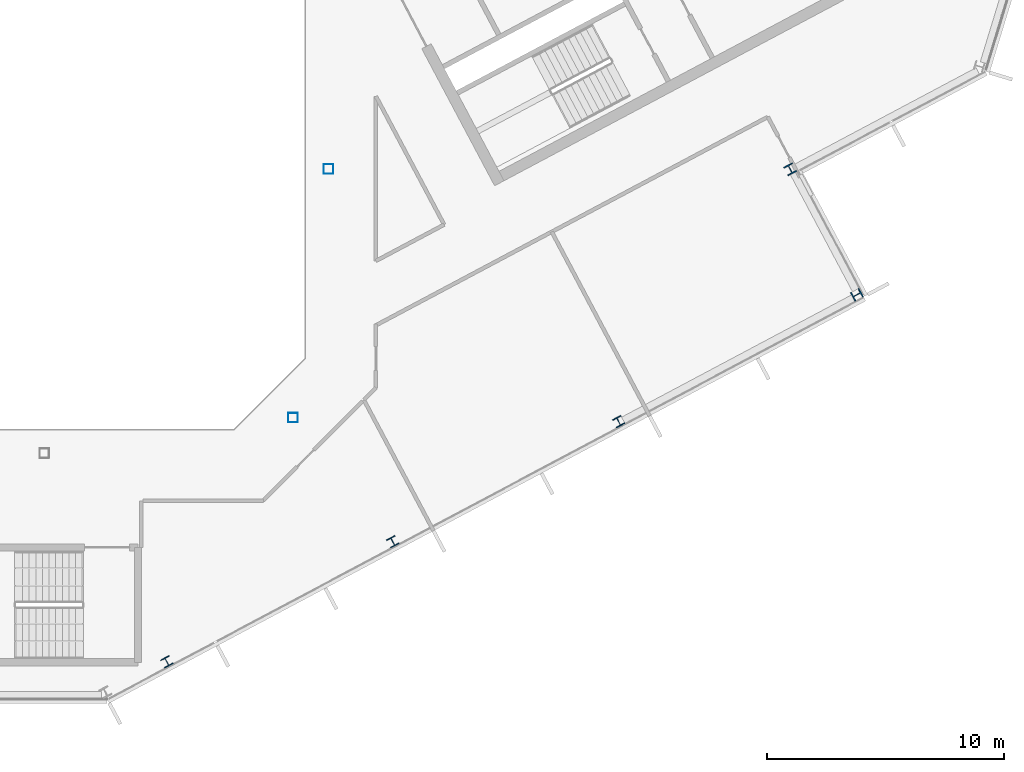
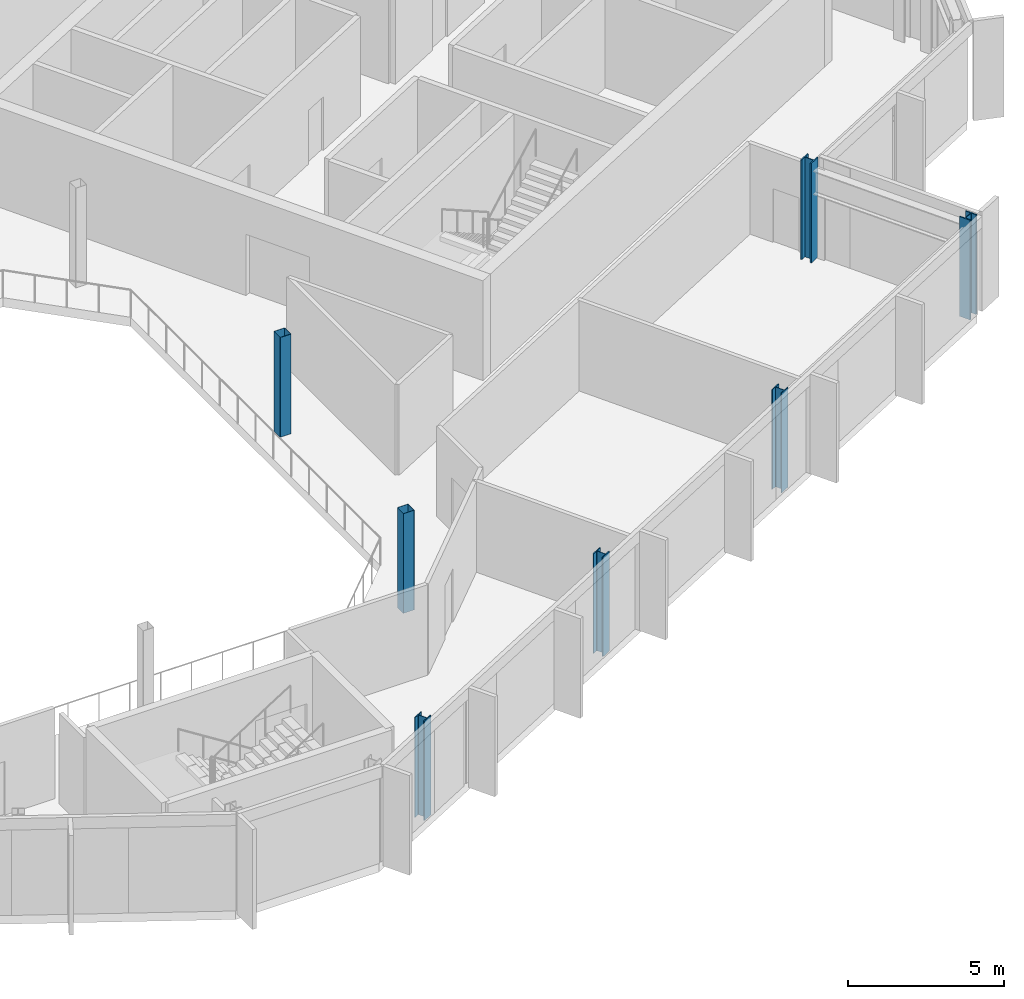
# One storey, part 5 of 25: 7 columns.
"""IFC4 building model written with IfcOpenShell, lengths in metres."""

from ifc_helpers import new_model, si_unit, direction, frame, origin, origin_2d, place, context, subcontext, project, spatial, hollow_rectangle, i_section, extrude, material, material_profile, profile_set, type_object, element, save


model = new_model("IFC4")

# Units and contexts
model_context = context("Model", 3, precision=1e-05, world=origin(), true_north=direction((0.0, 1.0)))
body_context = subcontext(model_context, "Body", "Model", "MODEL_VIEW")
ifc_project = project(units=[si_unit("LENGTHUNIT", "METRE"), si_unit("AREAUNIT", "SQUARE_METRE"), si_unit("VOLUMEUNIT", "CUBIC_METRE"), si_unit("PLANEANGLEUNIT", "RADIAN"), si_unit("MASSUNIT", "GRAM", prefix="KILO")], contexts=[model_context])

# Site, building, storey
site_placement = place(None, origin())
site = spatial("IfcSite", under=ifc_project, at=site_placement, CompositionType="ELEMENT")
building_placement = place(site_placement, origin())
building = spatial("IfcBuilding", under=site, at=building_placement, Name="Cormorant Relay Tower", CompositionType="ELEMENT")
storey_placement = place(building_placement, frame((0.0, 0.0, 265.800048828125)))
storey = spatial("IfcBuildingStorey", under=building, at=storey_placement, Name="L59", CompositionType="ELEMENT", Elevation=265.800048828125)

# Columns
ifc_material_1 = material(Name="Steel ASTM A500 Grade C (Fy 345 MPa)", Category="steel")
ifc_material_profile_1 = material_profile(ifc_material_1, hollow_rectangle(XDim=0.406494140625, YDim=0.406494140625, WallThickness=0.0087890625, InnerFilletRadius=0.00439453125, OuterFilletRadius=0.01318359375, at=origin_2d()), Name="HSS406x406x9")
ifc_profile_set_1 = profile_set([ifc_material_profile_1], Name="Steel ASTM A500 Grade C (Fy 345 MPa)")
column_type_1 = type_object("IfcColumnType", Name="Column HSS406x406x9", PredefinedType="COLUMN", material=ifc_profile_set_1)
for number, where, z_axis, x_axis, name in (
    (1, (10.5, -10.5, 0.0), (0.0, 0.0, 1.0), (1.0, 0.0, 0.0), "Column L59-010"),
    (2, (12.0, 0.0, 0.0), (0.0, 0.0, 1.0), (1.0, 0.0, 0.0), "Column L59-016"),
):
    element("IfcColumn", number, at=place(storey_placement, frame(where, z_axis=z_axis, x_axis=x_axis)), inside=storey, type_object=column_type_1, Name=name, PredefinedType="COLUMN", context=body_context, shape_type="SweptSolid", body=[
        extrude(hollow_rectangle(XDim=0.406494140625, YDim=0.406494140625, WallThickness=0.0087890625, InnerFilletRadius=0.00439453125, OuterFilletRadius=0.01318359375, at=origin_2d()), origin(), (0.0, 0.0, 1.0), 3.89990234375),
    ])
ifc_material_2 = material(Name="Steel ASTM A992 (Fy 345 MPa)", Category="steel")
ifc_material_profile_2 = material_profile(ifc_material_2, i_section(OverallWidth=0.398681640625, OverallDepth=0.385986328125, WebThickness=0.02099609375, FlangeThickness=0.033203125, FilletRadius=0.01513671875, at=origin_2d()), Name="W360x262")
ifc_profile_set_2 = profile_set([ifc_material_profile_2], Name="Steel ASTM A992 (Fy 345 MPa)")
column_type_2 = type_object("IfcColumnType", Name="Column W360x262", PredefinedType="COLUMN", material=ifc_profile_set_2)
for number, where, z_axis, x_axis, name in (
    (3, (5.174072265625, -20.806884765625, 0.0), (0.0, 0.0, 1.0), (0.882947592859, 0.469471562786, 0.0), "Column L59-003"),
    (4, (14.7099609375, -15.736083984375, 0.0), (0.0, 0.0, 1.0), (0.882947592859, 0.469471562786, 0.0), "Column L59-005"),
    (5, (24.2451171875, -10.666015625, 0.0), (0.0, 0.0, 1.0), (0.882947592859, 0.469471562786, 0.0), "Column L59-008"),
):
    element("IfcColumn", number, at=place(storey_placement, frame(where, z_axis=z_axis, x_axis=x_axis)), inside=storey, type_object=column_type_2, Name=name, PredefinedType="COLUMN", context=body_context, shape_type="SweptSolid", body=[
        extrude(i_section(OverallWidth=0.398681640625, OverallDepth=0.385986328125, WebThickness=0.02099609375, FlangeThickness=0.033203125, FilletRadius=0.01513671875, at=origin_2d()), origin(), (0.0, 0.0, 1.0), 3.89990234375),
    ])
ifc_material_3 = material(Name="Steel ASTM A992 (Fy 345 MPa)", Category="steel")
ifc_material_profile_3 = material_profile(ifc_material_3, i_section(OverallWidth=0.40380859375, OverallDepth=0.406494140625, WebThickness=0.027099609375, FlangeThickness=0.043701171875, FilletRadius=0.01513671875, at=origin_2d()), Name="W360x347")
ifc_profile_set_3 = profile_set([ifc_material_profile_3], Name="Steel ASTM A992 (Fy 345 MPa)")
column_type_3 = type_object("IfcColumnType", Name="Column W360x347", PredefinedType="COLUMN", material=ifc_profile_set_3)
for number, where, z_axis, x_axis, name in (
    (6, (34.303955078125, -5.31201171875, 0.0), (0.0, 0.0, 1.0), (-0.469471562786, 0.882947592859, 0.0), "Column L59-012"),
    (7, (31.487060546875, -0.013916015625, 0.0), (0.0, 0.0, 1.0), (0.882947592859, 0.469471562786, 0.0), "Column L59-014"),
):
    element("IfcColumn", number, at=place(storey_placement, frame(where, z_axis=z_axis, x_axis=x_axis)), inside=storey, type_object=column_type_3, Name=name, PredefinedType="COLUMN", context=body_context, shape_type="SweptSolid", body=[
        extrude(i_section(OverallWidth=0.40380859375, OverallDepth=0.406494140625, WebThickness=0.027099609375, FlangeThickness=0.043701171875, FilletRadius=0.01513671875, at=origin_2d()), origin(), (0.0, 0.0, 1.0), 3.89990234375),
    ])

save(model, "model.ifc")
